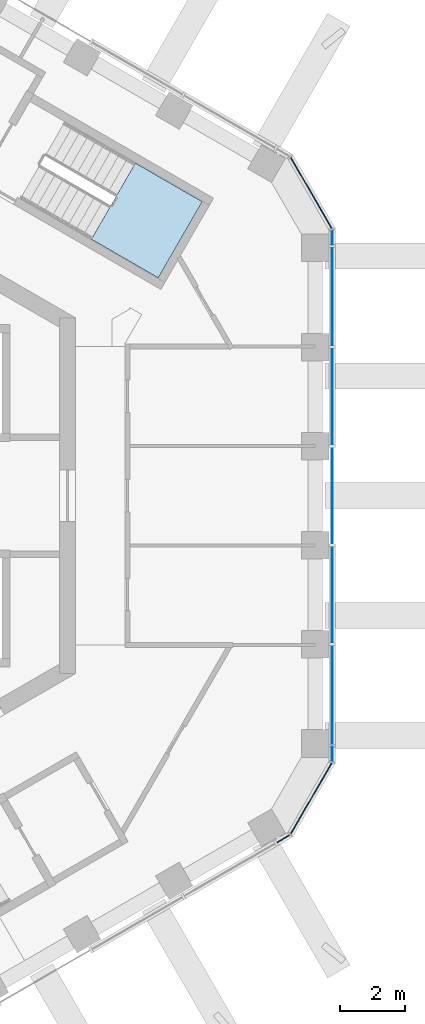
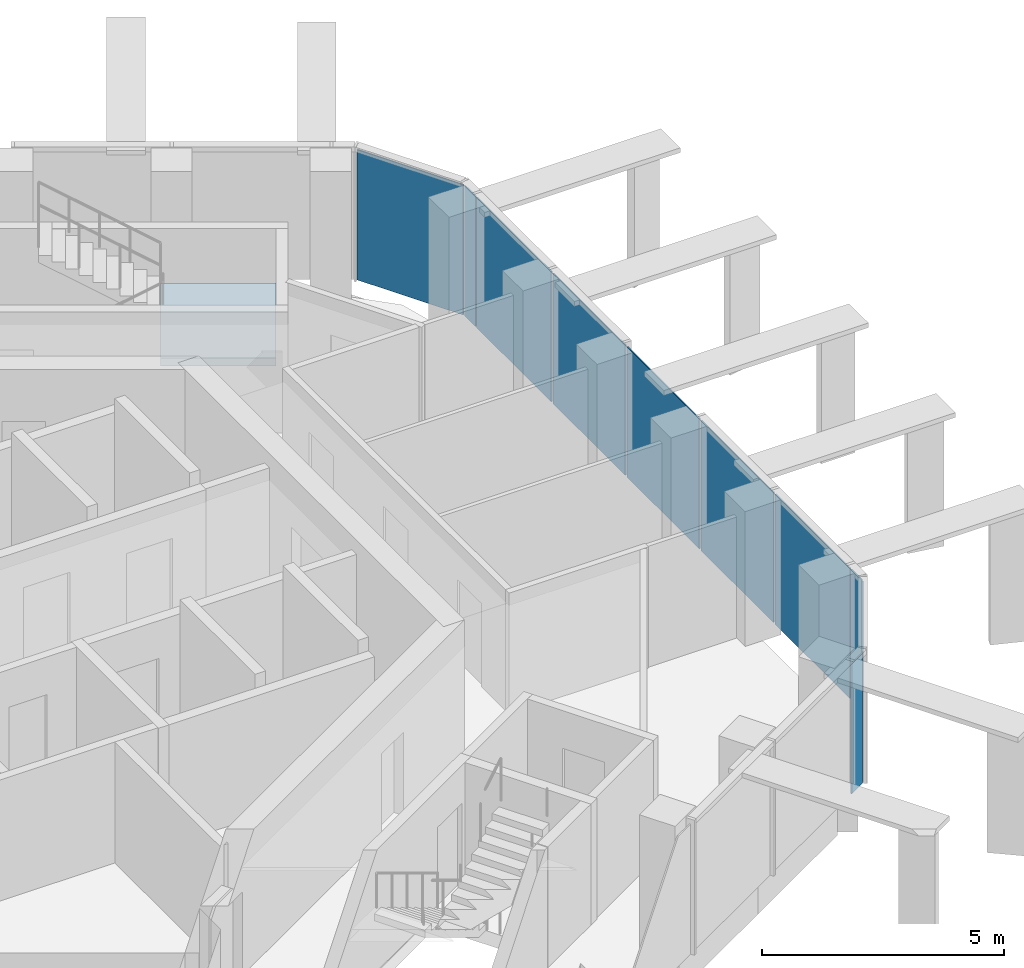
# One storey, part 9 of 19: 10 plates, 1 slab, 4 elements without a shape of their own.
"""IFC4 building model written with IfcOpenShell, lengths in metres."""

from ifc_helpers import new_model, si_unit, direction, frame, origin, origin_2d, place, context, subcontext, project, spatial, polyline, rectangle, outline, extrude, material, layer, layer_set, type_object, element, aggregate, save


model = new_model("IFC4")

# Units and contexts
model_context = context("Model", 3, precision=1e-05, world=origin(), true_north=direction((0.0, 1.0)))
body_context = subcontext(model_context, "Body", "Model", "MODEL_VIEW")
ifc_project = project(units=[si_unit("LENGTHUNIT", "METRE"), si_unit("AREAUNIT", "SQUARE_METRE"), si_unit("VOLUMEUNIT", "CUBIC_METRE"), si_unit("PLANEANGLEUNIT", "RADIAN"), si_unit("MASSUNIT", "GRAM", prefix="KILO")], contexts=[model_context])

# Site, building, storey
site_placement = place(None, origin())
site = spatial("IfcSite", under=ifc_project, at=site_placement, CompositionType="ELEMENT")
building_placement = place(site_placement, origin())
building = spatial("IfcBuilding", under=site, at=building_placement, Name="Ayvan Gate Tower", CompositionType="ELEMENT")
storey_placement = place(building_placement, frame((0.0, 0.0, 235.89990234375)))
storey = spatial("IfcBuildingStorey", under=building, at=storey_placement, Name="L63", CompositionType="ELEMENT", Elevation=235.89990234375)

# Stair, slab
ifc_material_1 = material(Name="Concrete C40/50", Category="concrete")
stair_type = type_object("IfcStairType", Name="ST-EXIT", PredefinedType="HALF_TURN_STAIR", material=ifc_material_1)
stair_placement = place(storey_placement, origin())
stair = element("IfcStair", 1, at=stair_placement, inside=storey, type_object=stair_type, Name="L63 Exit Stair S1", PredefinedType="HALF_TURN_STAIR")
ifc_layer_1 = layer(ifc_material_1, 0.199951171875)
ifc_layer_set_1 = layer_set([ifc_layer_1], Name="Concrete C40/50")
slab_type = type_object("IfcSlabType", Name="SL-LANDING-200", PredefinedType="LANDING", material=ifc_layer_set_1)
slab_placement = place(storey_placement, frame((0.0, 0.0, 1.5)))
slab = element("IfcSlab", 2, at=slab_placement, type_object=slab_type, Name="STS1 landing 1", PredefinedType="LANDING", context=body_context, shape_type="SweptSolid", body=[
    extrude(outline(polyline([(9.988525390625, 7.91064453125), (12.049560546875, 6.720458984375), (13.404541015625, 9.0673828125), (11.343505859375, 10.257568359375), (9.988525390625, 7.91064453125)])), origin(), (0.0, 0.0, 1.0), 0.2001953125),
])
aggregate(stair, [slab])

# Curtain wall, plates
ifc_material_2 = material(Name="Bronze anodised aluminium", Category="aluminium")
ifc_layer_2 = layer(ifc_material_2, 0.199951171875)
ifc_layer_set_2 = layer_set([ifc_layer_2], Name="Bronze anodised aluminium")
curtain_wall_type_1 = type_object("IfcCurtainWallType", Name="Stick curtain wall CW-2", PredefinedType="NOTDEFINED", material=ifc_layer_set_2)
curtain_wall_1_placement = place(storey_placement, origin())
curtain_wall_1 = element("IfcCurtainWall", 3, at=curtain_wall_1_placement, inside=storey, type_object=curtain_wall_type_1, Name="Stick curtain wall CW-2 L63", PredefinedType="NOTDEFINED")
ifc_material_3 = material(Name="Clear low-iron laminated glass", Category="glass")
ifc_layer_3 = layer(ifc_material_3, 0.028076171875)
ifc_layer_set_3 = layer_set([ifc_layer_3], Name="Clear low-iron laminated glass")
plate_type_1 = type_object("IfcPlateType", Name="Stick curtain wall CW-2 glass panel", PredefinedType="CURTAIN_PANEL", material=ifc_layer_set_3)
plate_1_placement = place(storey_placement, frame((17.41259765625, -6.164306640625, 0.0), z_axis=(0.0, 0.0, 1.0), x_axis=(0.0, 1.0, 0.0)))
plate_1 = element("IfcPlate", 4, at=plate_1_placement, type_object=plate_type_1, Name="CW-2 glass panel 1", PredefinedType="CURTAIN_PANEL", context=body_context, shape_type="SweptSolid", body=[
    extrude(rectangle(XDim=3.090087890625, YDim=0.028076171875, at=origin_2d()), origin(), (0.0, 0.0, 1.0), 3.280029296875),
])
plate_2_placement = place(storey_placement, frame((17.41259765625, -3.056396484375, 0.0), z_axis=(0.0, 0.0, 1.0), x_axis=(0.0, 1.0, 0.0)))
plate_2 = element("IfcPlate", 5, at=plate_2_placement, type_object=plate_type_1, Name="CW-2 glass panel 2", PredefinedType="CURTAIN_PANEL", context=body_context, shape_type="SweptSolid", body=[
    extrude(rectangle(XDim=2.986083984375, YDim=0.028076171875, at=origin_2d()), origin(), (0.0, 0.0, 1.0), 3.280029296875),
])
plate_3_placement = place(storey_placement, frame((17.41259765625, 0.0, 0.0), z_axis=(0.0, 0.0, 1.0), x_axis=(0.0, 1.0, 0.0)))
plate_3 = element("IfcPlate", 6, at=plate_3_placement, type_object=plate_type_1, Name="CW-2 glass panel 3", PredefinedType="CURTAIN_PANEL", context=body_context, shape_type="SweptSolid", body=[
    extrude(rectangle(XDim=2.987060546875, YDim=0.028076171875, at=origin_2d()), origin(), (0.0, 0.0, 1.0), 3.280029296875),
])
plate_4_placement = place(storey_placement, frame((17.41259765625, 3.056640625, 0.0), z_axis=(0.0, 0.0, 1.0), x_axis=(0.0, 1.0, 0.0)))
plate_4 = element("IfcPlate", 7, at=plate_4_placement, type_object=plate_type_1, Name="CW-2 glass panel 4", PredefinedType="CURTAIN_PANEL", context=body_context, shape_type="SweptSolid", body=[
    extrude(rectangle(XDim=2.986083984375, YDim=0.028076171875, at=origin_2d()), origin(), (0.0, 0.0, 1.0), 3.280029296875),
])
plate_5_placement = place(storey_placement, frame((17.41259765625, 6.16455078125, 0.0), z_axis=(0.0, 0.0, 1.0), x_axis=(0.0, 1.0, 0.0)))
plate_5 = element("IfcPlate", 8, at=plate_5_placement, type_object=plate_type_1, Name="CW-2 glass panel 5", PredefinedType="CURTAIN_PANEL", context=body_context, shape_type="SweptSolid", body=[
    extrude(rectangle(XDim=3.08984375, YDim=0.028076171875, at=origin_2d()), origin(), (0.0, 0.0, 1.0), 3.280029296875),
])
aggregate(curtain_wall_1, [plate_1, plate_2, plate_3, plate_4, plate_5])

ifc_layer_4 = layer(ifc_material_2, 0.199951171875)
ifc_layer_set_4 = layer_set([ifc_layer_4], Name="Bronze anodised aluminium")
curtain_wall_type_2 = type_object("IfcCurtainWallType", Name="Stick curtain wall CW-6", PredefinedType="NOTDEFINED", material=ifc_layer_set_4)
curtain_wall_2_placement = place(storey_placement, origin())
curtain_wall_2 = element("IfcCurtainWall", 9, at=curtain_wall_2_placement, inside=storey, type_object=curtain_wall_type_2, Name="Stick curtain wall CW-6 L63", PredefinedType="NOTDEFINED")
ifc_layer_5 = layer(ifc_material_3, 0.028076171875)
ifc_layer_set_5 = layer_set([ifc_layer_5], Name="Clear low-iron laminated glass")
plate_type_2 = type_object("IfcPlateType", Name="Stick curtain wall CW-6 glass panel", PredefinedType="CURTAIN_PANEL", material=ifc_layer_set_5)
plate_6_placement = place(storey_placement, frame((15.90478515625, -10.5810546875, 0.0), z_axis=(0.0, 0.0, 1.0), x_axis=(0.866025403784, 0.5, 0.0)))
plate_6 = element("IfcPlate", 10, at=plate_6_placement, type_object=plate_type_2, Name="CW-6 glass panel 1", PredefinedType="CURTAIN_PANEL", context=body_context, shape_type="SweptSolid", body=[
    extrude(rectangle(XDim=0.449951171875, YDim=0.028076171875, at=origin_2d()), origin(), (0.0, 0.0, 1.0), 3.280029296875),
])
plate_7_placement = place(storey_placement, frame((16.766845703125, -9.337646484375, 0.0), z_axis=(0.0, 0.0, 1.0), x_axis=(0.5, 0.866025403784, 0.0)))
plate_7 = element("IfcPlate", 11, at=plate_7_placement, type_object=plate_type_2, Name="CW-6 glass panel 2", PredefinedType="CURTAIN_PANEL", context=body_context, shape_type="SweptSolid", body=[
    extrude(rectangle(XDim=2.532470703125, YDim=0.028076171875, at=origin_2d()), origin(), (0.0, 0.0, 1.0), 3.280029296875),
])
plate_8_placement = place(storey_placement, frame((17.41259765625, -7.969482421875, 0.0), z_axis=(0.0, 0.0, 1.0), x_axis=(0.0, 1.0, 0.0)))
plate_8 = element("IfcPlate", 12, at=plate_8_placement, type_object=plate_type_2, Name="CW-6 glass panel 3", PredefinedType="CURTAIN_PANEL", context=body_context, shape_type="SweptSolid", body=[
    extrude(rectangle(XDim=0.449951171875, YDim=0.028076171875, at=origin_2d()), origin(), (0.0, 0.0, 1.0), 3.280029296875),
])
aggregate(curtain_wall_2, [plate_6, plate_7, plate_8])

curtain_wall_3_placement = place(storey_placement, origin())
curtain_wall_3 = element("IfcCurtainWall", 13, at=curtain_wall_3_placement, inside=storey, type_object=curtain_wall_type_2, Name="Stick curtain wall CW-6 L63", PredefinedType="NOTDEFINED")
plate_9_placement = place(storey_placement, frame((17.41259765625, 7.969482421875, 0.0), z_axis=(0.0, 0.0, 1.0), x_axis=(0.0, 1.0, 0.0)))
plate_9 = element("IfcPlate", 14, at=plate_9_placement, type_object=plate_type_2, Name="CW-6 glass panel 1", PredefinedType="CURTAIN_PANEL", context=body_context, shape_type="SweptSolid", body=[
    extrude(rectangle(XDim=0.449951171875, YDim=0.028076171875, at=origin_2d()), origin(), (0.0, 0.0, 1.0), 3.280029296875),
])
plate_10_placement = place(storey_placement, frame((16.766845703125, 9.337646484375, 0.0), z_axis=(0.0, 0.0, 1.0), x_axis=(-0.5, 0.866025403784, 0.0)))
plate_10 = element("IfcPlate", 15, at=plate_10_placement, type_object=plate_type_2, Name="CW-6 glass panel 2", PredefinedType="CURTAIN_PANEL", context=body_context, shape_type="SweptSolid", body=[
    extrude(rectangle(XDim=2.532470703125, YDim=0.028076171875, at=origin_2d()), origin(), (0.0, 0.0, 1.0), 3.280029296875),
])
aggregate(curtain_wall_3, [plate_9, plate_10])

save(model, "model.ifc")
